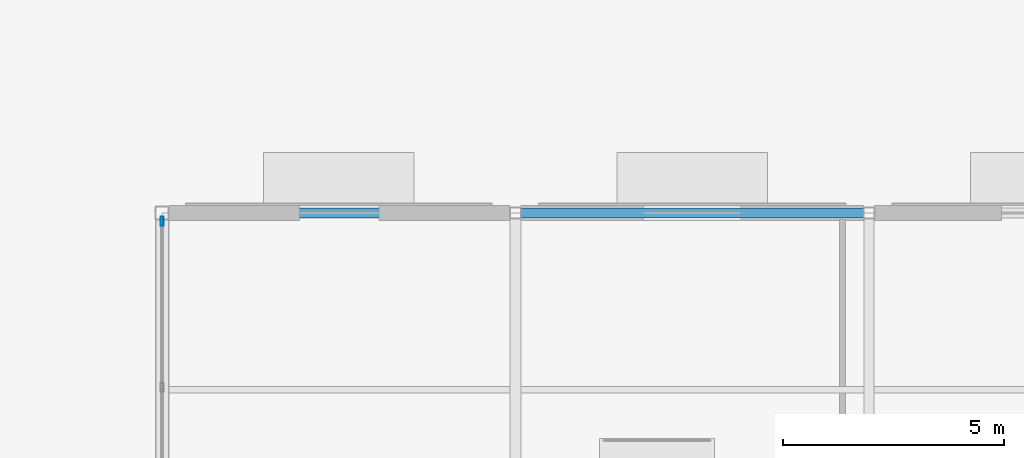
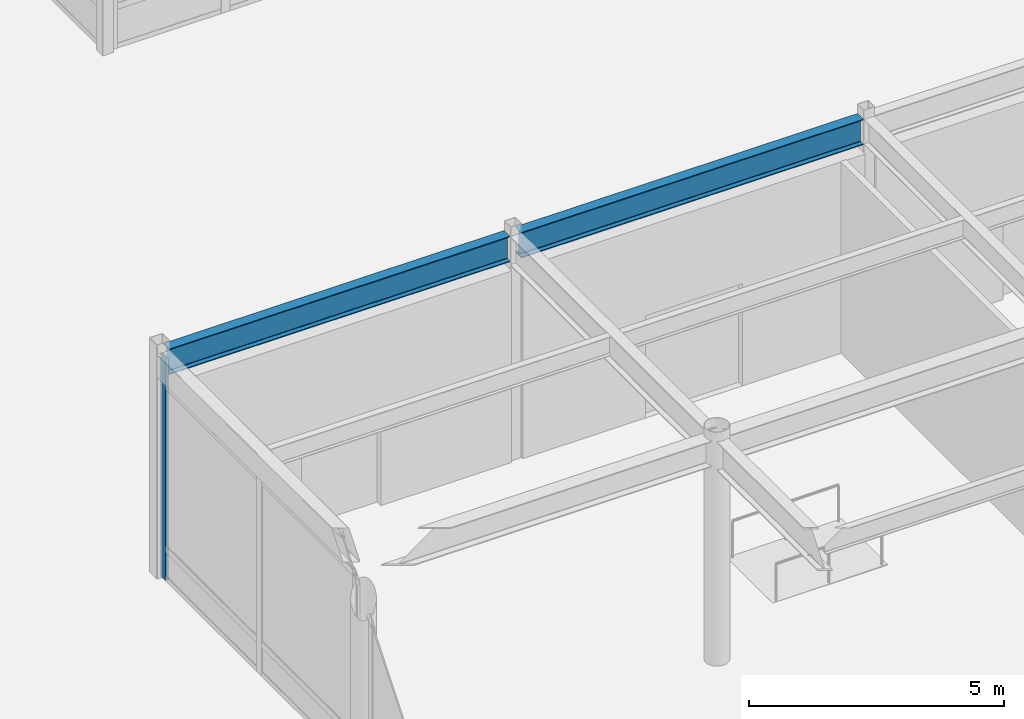
# One storey, part 41 of 128: 2 beams, 1 member, 1 element without a shape of its own.
"""IFC4 building model written with IfcOpenShell, lengths in metres."""

from ifc_helpers import new_model, si_unit, direction, frame, origin, origin_2d, place, context, subcontext, project, spatial, hollow_rectangle, i_section, extrude, material, material_profile, profile_set, type_object, element, aggregate, save


model = new_model("IFC4")

# Units and contexts
model_context = context("Model", 3, precision=1e-05, world=origin(), true_north=direction((0.0, 1.0)))
body_context = subcontext(model_context, "Body", "Model", "MODEL_VIEW")
ifc_project = project(units=[si_unit("LENGTHUNIT", "METRE"), si_unit("AREAUNIT", "SQUARE_METRE"), si_unit("VOLUMEUNIT", "CUBIC_METRE"), si_unit("PLANEANGLEUNIT", "RADIAN"), si_unit("MASSUNIT", "GRAM", prefix="KILO")], contexts=[model_context])

# Site, building, storey
site_placement = place(None, origin())
site = spatial("IfcSite", under=ifc_project, at=site_placement, CompositionType="ELEMENT")
building_placement = place(site_placement, origin())
building = spatial("IfcBuilding", under=site, at=building_placement, Name="Solmirada Galleria", CompositionType="ELEMENT")
storey_placement = place(building_placement, origin())
storey = spatial("IfcBuildingStorey", under=building, at=storey_placement, Name="L00", CompositionType="ELEMENT", Elevation=0.0)

# Beams
ifc_material_1 = material(Name="Steel S355 / ASTM A992 Grade 50", Category="steel")
ifc_material_profile_1 = material_profile(ifc_material_1, i_section(OverallWidth=0.22900390625, OverallDepth=0.612060546875, WebThickness=0.011962890625, FlangeThickness=0.01953125, FilletRadius=0.014892578125, at=origin_2d()), Name="W24X84")
ifc_profile_set_1 = profile_set([ifc_material_profile_1], Name="Steel S355 / ASTM A992 Grade 50")
beam_type = type_object("IfcBeamType", Name="BM-GIRD-W24B", PredefinedType="BEAM", material=ifc_profile_set_1)
beam_1_placement = place(storey_placement, frame((40.152587890625, 40.0, 5.073974609375), z_axis=(1.0, 0.0, 0.0), x_axis=(0.0, 1.0, 0.0)))
element("IfcBeam", 1, at=beam_1_placement, inside=storey, type_object=beam_type, Name="Primary beam L01 X(40..48, 40)", PredefinedType="BEAM", context=body_context, shape_type="SweptSolid", body=[
    extrude(i_section(OverallWidth=0.22900390625, OverallDepth=0.612060546875, WebThickness=0.011962890625, FlangeThickness=0.01953125, FilletRadius=0.014892578125, at=origin_2d()), origin(), (0.0, 0.0, 1.0), 7.720458984375),
])
beam_2_placement = place(storey_placement, frame((48.126953125, 40.0, 5.073974609375), z_axis=(1.0, 0.0, 0.0), x_axis=(0.0, 1.0, 0.0)))
element("IfcBeam", 2, at=beam_2_placement, inside=storey, type_object=beam_type, Name="Primary beam L01 X(48..56, 40)", PredefinedType="BEAM", context=body_context, shape_type="SweptSolid", body=[
    extrude(i_section(OverallWidth=0.22900390625, OverallDepth=0.612060546875, WebThickness=0.011962890625, FlangeThickness=0.01953125, FilletRadius=0.014892578125, at=origin_2d()), origin(), (0.0, 0.0, 1.0), 7.74609375),
])

# Curtain wall, member
ifc_material_2 = material(Name="Impact-resistant low-E double glazing", Category="glass")
curtain_wall_type = type_object("IfcCurtainWallType", Name="CW-FZ1-L00-B2-L076", PredefinedType="NOTDEFINED", material=ifc_material_2)
curtain_wall_placement = place(storey_placement, origin())
curtain_wall = element("IfcCurtainWall", 3, at=curtain_wall_placement, inside=storey, type_object=curtain_wall_type, Name="Terrace and arcade storefront CW-L00-030", PredefinedType="NOTDEFINED")
ifc_material_3 = material(Name="Anodised aluminium framing", Category="aluminium")
ifc_material_profile_2 = material_profile(ifc_material_3, hollow_rectangle(XDim=0.070068359375, YDim=0.199951171875, WallThickness=0.004150390625, InnerFilletRadius=0.004150390625, OuterFilletRadius=0.00830078125, at=origin_2d()), Name="ALU-MULL-200X70")
ifc_profile_set_2 = profile_set([ifc_material_profile_2], Name="Anodised aluminium framing")
member_type = type_object("IfcMemberType", Name="CW-MULL-200", PredefinedType="MULLION", material=ifc_profile_set_2)
member_placement = place(storey_placement, frame((40.0, 39.810546875, 0.0), z_axis=(0.0, 0.0, 1.0), x_axis=(-1.0, 0.0, 0.0)))
member = element("IfcMember", 4, at=member_placement, type_object=member_type, Name="CW10 mullion 3", PredefinedType="MULLION", context=body_context, shape_type="SweptSolid", body=[
    extrude(hollow_rectangle(XDim=0.070068359375, YDim=0.199951171875, WallThickness=0.004150390625, InnerFilletRadius=0.004150390625, OuterFilletRadius=0.00830078125, at=origin_2d()), origin(), (0.0, 0.0, 1.0), 5.320068359375),
])
aggregate(curtain_wall, [member])

save(model, "model.ifc")
